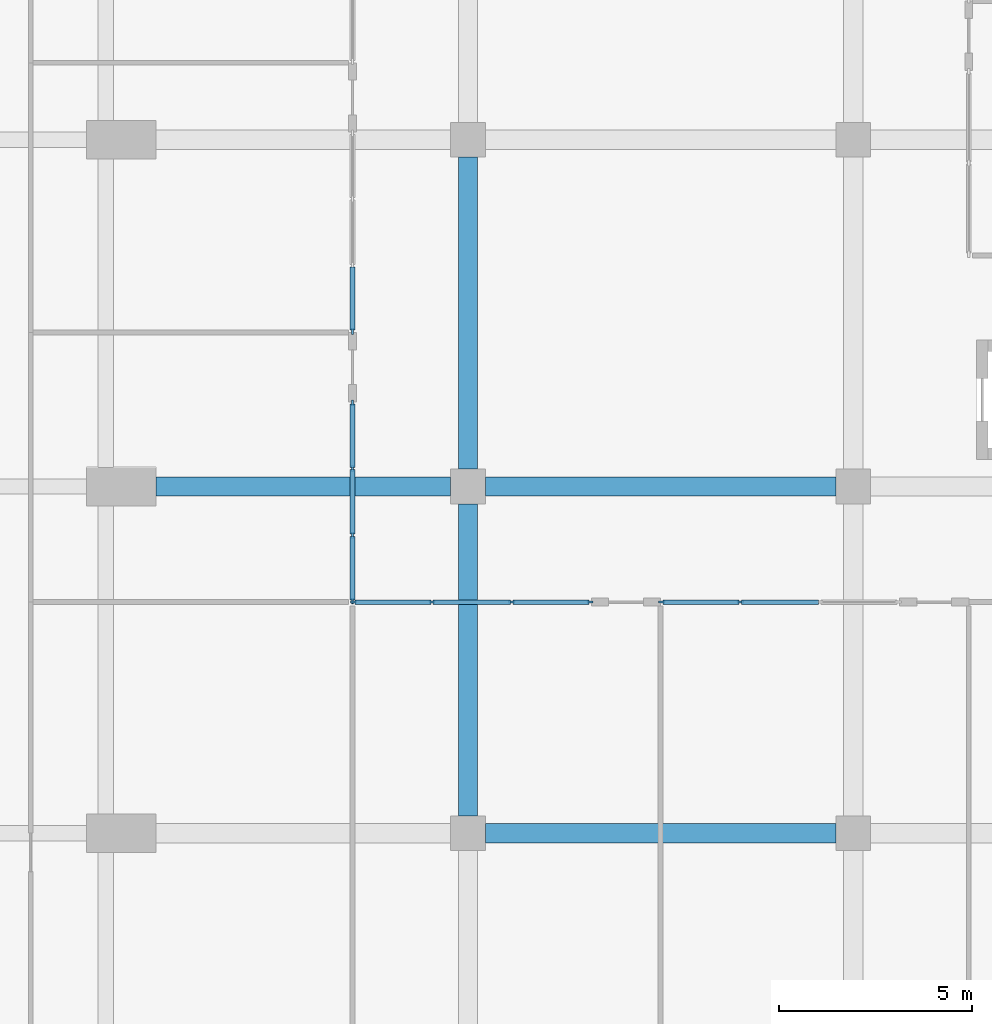
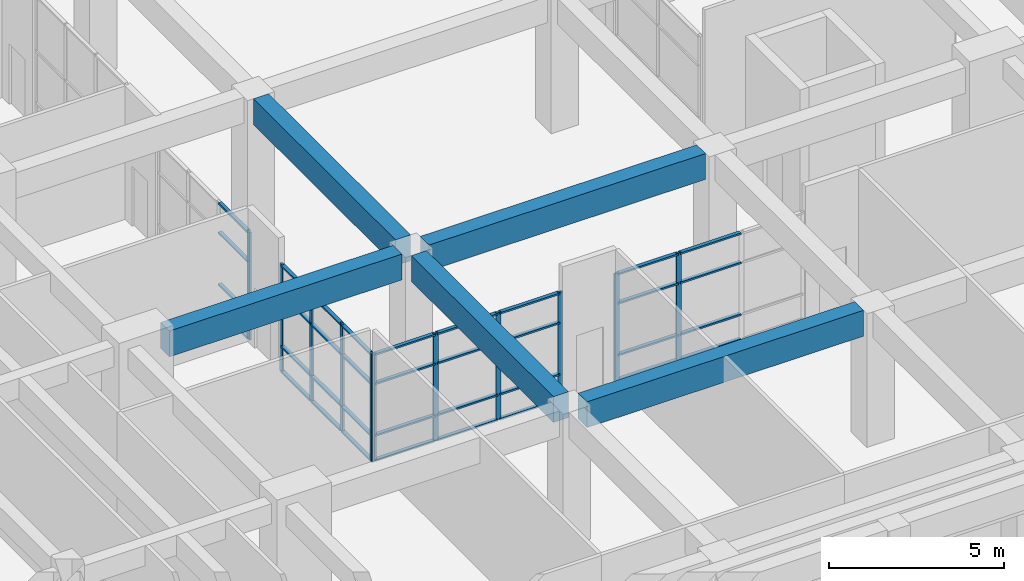
# One storey, part 2 of 29: 47 members, 5 beams, 4 elements without a shape of their own.
"""IFC4 building model written with IfcOpenShell, lengths in metres."""

import ifcopenshell
import ifcopenshell.guid

model = None  # the IFC model being written
_history = None  # IfcOwnerHistory: only IFC2X3 demands one
_inside = {}  # id of a spatial element -> (the spatial element, [elements in it])
_under = {}  # id of a project, library or spatial element -> (it, [spatial elements below it])
_declared = {}  # id of a project -> (the project, [libraries it declares])
_typed = {}  # id of a type object -> (the type object, [elements of that type])
_made_of = {}  # id of a material, layer set ... -> (it, [elements and type objects made of it])


def new_model(schema):
    """Start an empty IFC model of exactly this schema.

    Asked for "IFC4X3", IfcOpenShell would pick the latest addendum, in which some entities
    have other attributes; the version numbers below select the first issue.
    IFC2X3 requires an IfcOwnerHistory on every rooted entity: one is made here for all.
    """
    global model, _history
    if schema == "IFC4X3":
        model = ifcopenshell.file(schema_version=(4, 3, 0, 0))
    else:
        model = ifcopenshell.file(schema=schema)
    _inside.clear()
    _under.clear()
    _declared.clear()
    _typed.clear()
    _made_of.clear()
    _history = None
    if model.schema == "IFC2X3":
        org = make("IfcOrganization", Name="unknown")
        user = make(
            "IfcPersonAndOrganization",
            ThePerson=make("IfcPerson", FamilyName="unknown"),
            TheOrganization=org,
        )
        app = make(
            "IfcApplication",
            ApplicationDeveloper=org,
            Version="unknown",
            ApplicationFullName="unknown",
            ApplicationIdentifier="unknown",
        )
        _history = make(
            "IfcOwnerHistory",
            OwningUser=user,
            OwningApplication=app,
            ChangeAction="ADDED",
            CreationDate=0,
        )
    return model


def make(cls, **values):
    """One entity of the class cls with the attributes given. An attribute that is None is left unset."""
    return model.create_entity(
        cls, **{name: value for name, value in values.items() if value is not None}
    )


def rooted(cls, **values):
    """An entity with a GlobalId (a new one), such as an element, a storey or a relation."""
    return make(cls, GlobalId=ifcopenshell.guid.new(), OwnerHistory=_history, **values)


def si_unit(unit_type, name, prefix=None):
    """IfcSIUnit, for example si_unit("LENGTHUNIT", "METRE", prefix="MILLI")."""
    return make("IfcSIUnit", UnitType=unit_type, Prefix=prefix, Name=name)


def assignment(units):
    """IfcUnitAssignment: the units of a project."""
    return None if units is None else make("IfcUnitAssignment", Units=units)


def point(xyz):
    """IfcCartesianPoint."""
    return None if xyz is None else make("IfcCartesianPoint", Coordinates=xyz)


def direction(xyz):
    """IfcDirection."""
    return None if xyz is None else make("IfcDirection", DirectionRatios=xyz)


def frame(location, z_axis=None, x_axis=None):
    """IfcAxis2Placement3D, a coordinate frame: its origin and axes. An axis left out is left unset."""
    return make(
        "IfcAxis2Placement3D",
        Location=point(location),
        Axis=direction(z_axis),
        RefDirection=direction(x_axis),
    )


def frame_2d(location, x_axis=None):
    """IfcAxis2Placement2D, a coordinate frame in the plane: its origin and x axis."""
    return make(
        "IfcAxis2Placement2D", Location=point(location), RefDirection=direction(x_axis)
    )


def origin():
    """The frame at (0, 0, 0) with its axes left unset."""
    return frame((0.0, 0.0, 0.0))


def origin_2d():
    """The frame at (0, 0) in the plane with its x axis left unset."""
    return frame_2d((0.0, 0.0))


def place(relative_to, where):
    """IfcLocalPlacement: puts the frame where relative to a parent placement (None: the world)."""
    return make(
        "IfcLocalPlacement", PlacementRelTo=relative_to, RelativePlacement=where
    )


def context(
    kind, dimensions, precision=None, world=None, true_north=None, identifier=None
):
    """IfcGeometricRepresentationContext, for example the 3D "Model" context."""
    return make(
        "IfcGeometricRepresentationContext",
        ContextIdentifier=identifier,
        ContextType=kind,
        CoordinateSpaceDimension=dimensions,
        Precision=precision,
        WorldCoordinateSystem=world,
        TrueNorth=true_north,
    )


def subcontext(parent, identifier, kind, view, scale=None):
    """IfcGeometricRepresentationSubContext, for example "Body" below "Model"."""
    return make(
        "IfcGeometricRepresentationSubContext",
        ContextIdentifier=identifier,
        ContextType=kind,
        ParentContext=parent,
        TargetScale=scale,
        TargetView=view,
    )


def project(units=None, contexts=None):
    """IfcProject with its units and contexts."""
    return rooted(
        "IfcProject",
        Name="project",
        RepresentationContexts=contexts,
        UnitsInContext=assignment(units),
    )


def spatial(cls, under=None, at=None, **own):
    """A site, building, storey or space (cls), placed at a placement, below another one or the project."""
    s = rooted(cls, ObjectPlacement=at, **own)
    if under is not None:
        _under.setdefault(under.id(), (under, []))[1].append(s)
    return s


def profile(cls, at=None, kind="AREA", **sizes):
    """A parametric profile (cls). Its sizes go by their IFC names, for example OverallWidth=200.0."""
    return make(cls, ProfileType=kind, Position=at, **sizes)


def rectangle(**sizes):
    """IfcRectangleProfileDef."""
    return profile("IfcRectangleProfileDef", **sizes)


def extrude(swept, where, along, depth):
    """IfcExtrudedAreaSolid: the profile swept, set in the frame where, extruded along a direction by depth."""
    return make(
        "IfcExtrudedAreaSolid",
        SweptArea=swept,
        Position=where,
        ExtrudedDirection=direction(along),
        Depth=depth,
    )


def shape(context_of_items, identifier, shape_type, items):
    """IfcShapeRepresentation: the items that make up one representation, for example the "Body"."""
    return make(
        "IfcShapeRepresentation",
        ContextOfItems=context_of_items,
        RepresentationIdentifier=identifier,
        RepresentationType=shape_type,
        Items=items,
    )


def material(Name=None, Category=None):
    """IfcMaterial."""
    return make("IfcMaterial", Name=Name, Category=Category)


def material_profile(
    of_material, cross_section, Name=None, Category=None, Priority=None
):
    """IfcMaterialProfile: a cross section and its material."""
    return make(
        "IfcMaterialProfile",
        Name=Name,
        Material=of_material,
        Profile=cross_section,
        Priority=Priority,
        Category=Category,
    )


def profile_set(profiles, Name=None, composite=None):
    """IfcMaterialProfileSet."""
    return make(
        "IfcMaterialProfileSet",
        Name=Name,
        MaterialProfiles=profiles,
        CompositeProfile=composite,
    )


def made_of(thing, what):
    """Note that an element or type object is made of a material, layer set ...; save() writes the relation."""
    if what is not None:
        _made_of.setdefault(what.id(), (what, []))[1].append(thing)
    return thing


def type_object(cls, material=None, **own):
    """A type object (cls), such as IfcWallType, which elements share."""
    return made_of(rooted(cls, **own), material)


def element(
    cls,
    number,
    at=None,
    inside=None,
    cuts=None,
    type_object=None,
    material=None,
    context=None,
    identifier="Body",
    shape_type=None,
    held_by="IfcProductDefinitionShape",
    body=None,
    shapes=None,
    **own,
):
    """One element of the class cls, such as IfcWall. Its Tag is "e" and its number.

    at: its placement. inside: the storey or other place that contains it. cuts: it is an
    opening in that element (IfcRelVoidsElement). A single representation is given by context,
    identifier, shape_type and body (its items); several are given by shapes. held_by: the class
    of the entity that holds the representations. save() writes the other relations.
    """
    e = rooted(cls, Tag="e%d" % number, ObjectPlacement=at, **own)
    if body is not None:
        shapes = [shape(context, identifier, shape_type, body)]
    if shapes is not None:
        e.Representation = make(held_by, Representations=shapes)
    if inside is not None:
        _inside.setdefault(inside.id(), (inside, []))[1].append(e)
    if cuts is not None:
        rooted(
            "IfcRelVoidsElement", RelatingBuildingElement=cuts, RelatedOpeningElement=e
        )
    if type_object is not None:
        _typed.setdefault(type_object.id(), (type_object, []))[1].append(e)
    return made_of(e, material)


def aggregate(whole, parts):
    """IfcRelAggregates: a whole, such as a stair, and the parts it consists of."""
    return rooted("IfcRelAggregates", RelatingObject=whole, RelatedObjects=parts)


def save(model, path):
    """Write the relations noted so far, then the file.

    IfcRelAggregates (storeys below a building ...), IfcRelContainedInSpatialStructure (elements
    in a storey), IfcRelDefinesByType, IfcRelAssociatesMaterial and IfcRelDeclares: one each for
    every whole, place, type object, material and project.
    """
    for whole, parts in _under.values():
        aggregate(whole, parts)
    for where, things in _inside.values():
        rooted(
            "IfcRelContainedInSpatialStructure",
            RelatedElements=things,
            RelatingStructure=where,
        )
    for kind, things in _typed.values():
        rooted("IfcRelDefinesByType", RelatedObjects=things, RelatingType=kind)
    for what, things in _made_of.values():
        rooted("IfcRelAssociatesMaterial", RelatedObjects=things, RelatingMaterial=what)
    for by, libraries in _declared.values():
        rooted("IfcRelDeclares", RelatingContext=by, RelatedDefinitions=libraries)
    model.write(path)


model = new_model("IFC4")

# Units and contexts
model_context = context("Model", 3, precision=1e-05, world=origin(), true_north=direction((0.0, 1.0)))
body_context = subcontext(model_context, "Body", "Model", "MODEL_VIEW")
ifc_project = project(units=[si_unit("LENGTHUNIT", "METRE"), si_unit("AREAUNIT", "SQUARE_METRE"), si_unit("VOLUMEUNIT", "CUBIC_METRE"), si_unit("PLANEANGLEUNIT", "RADIAN"), si_unit("MASSUNIT", "GRAM", prefix="KILO")], contexts=[model_context])

# Site, building, storey
site_placement = place(None, origin())
site = spatial("IfcSite", under=ifc_project, at=site_placement, CompositionType="ELEMENT")
building_placement = place(site_placement, origin())
building = spatial("IfcBuilding", under=site, at=building_placement, Name="Elmora Arch Market Hall", CompositionType="ELEMENT")
storey_placement = place(building_placement, frame((0.0, 0.0, -5.0)))
storey = spatial("IfcBuildingStorey", under=building, at=storey_placement, Name="LG", CompositionType="ELEMENT", Elevation=-5.0)

# Beams
ifc_material_1 = material(Name="Concrete C32/40", Category="concrete")
ifc_material_profile_1 = material_profile(ifc_material_1, rectangle(XDim=0.5, YDim=0.89990234375, at=origin_2d()), Name="Basement girder 500x900")
ifc_profile_set_1 = profile_set([ifc_material_profile_1], Name="Concrete C32/40")
beam_type = type_object("IfcBeamType", Name="Basement girder 500x900", PredefinedType="BEAM", material=ifc_profile_set_1)
beam_1_placement = place(storey_placement, frame((24.449951171875, 36.0, 4.199951171875), z_axis=(1.0, 0.0, 0.0), x_axis=(0.0, 1.0, 0.0)))
element("IfcBeam", 1, at=beam_1_placement, inside=storey, type_object=beam_type, Name="Basement girder HR2 LG.2", PredefinedType="BEAM", context=body_context, shape_type="SweptSolid", body=[
    extrude(rectangle(XDim=0.5, YDim=0.89990234375, at=origin_2d()), origin(), (0.0, 0.0, 1.0), 9.10009765625),
])
beam_2_placement = place(storey_placement, frame((15.89990234375, 45.0, 4.199951171875), z_axis=(1.0, 0.0, 0.0), x_axis=(0.0, 1.0, 0.0)))
element("IfcBeam", 2, at=beam_2_placement, inside=storey, type_object=beam_type, Name="Basement girder HR3 LG.1", PredefinedType="BEAM", context=body_context, shape_type="SweptSolid", body=[
    extrude(rectangle(XDim=0.5, YDim=0.89990234375, at=origin_2d()), origin(), (0.0, 0.0, 1.0), 7.650146484375),
])
beam_3_placement = place(storey_placement, frame((24.449951171875, 45.0, 4.199951171875), z_axis=(1.0, 0.0, 0.0), x_axis=(0.0, 1.0, 0.0)))
element("IfcBeam", 3, at=beam_3_placement, inside=storey, type_object=beam_type, Name="Basement girder HR3 LG.2", PredefinedType="BEAM", context=body_context, shape_type="SweptSolid", body=[
    extrude(rectangle(XDim=0.5, YDim=0.89990234375, at=origin_2d()), origin(), (0.0, 0.0, 1.0), 9.10009765625),
])
for number, where, z_axis, x_axis, name in (
    (4, (24.0, 36.449951171875, 4.199951171875), (0.0, 1.0, 0.0), (-1.0, 0.0, 0.0), "Basement girder HC1 LG.2"),
    (5, (24.0, 45.449951171875, 4.199951171875), (0.0, 1.0, 0.0), (-1.0, 0.0, 0.0), "Basement girder HC1 LG.3"),
):
    element("IfcBeam", number, at=place(storey_placement, frame(where, z_axis=z_axis, x_axis=x_axis)), inside=storey, type_object=beam_type, Name=name, PredefinedType="BEAM", context=body_context, shape_type="SweptSolid", body=[
        extrude(rectangle(XDim=0.5, YDim=0.89990234375, at=origin_2d()), origin(), (0.0, 0.0, 1.0), 8.10009765625),
    ])

# Curtain wall, members
ifc_material_2 = material(Name="Aluminium", Category="aluminium")
curtain_wall_type = type_object("IfcCurtainWallType", Name="Lower ground shopfront curtain wall", PredefinedType="NOTDEFINED", material=ifc_material_2)
curtain_wall_1_placement = place(storey_placement, origin())
curtain_wall_1 = element("IfcCurtainWall", 6, at=curtain_wall_1_placement, inside=storey, type_object=curtain_wall_type, Name="Lower ground shopfront W1", PredefinedType="NOTDEFINED")
ifc_material_3 = material(Name="Aluminium", Category="aluminium")
ifc_material_profile_2 = material_profile(ifc_material_3, rectangle(XDim=0.06005859375, YDim=0.159912109375, at=origin_2d()), Name="AL 60x160")
ifc_profile_set_2 = profile_set([ifc_material_profile_2], Name="Aluminium")
member_type_1 = type_object("IfcMemberType", Name="Mullion 60x160", PredefinedType="MULLION", material=ifc_profile_set_2)
member_1_placement = place(storey_placement, frame((21.0, 42.030029296875, 0.0), z_axis=(0.0, 0.0, 1.0), x_axis=(-1.0, 0.0, 0.0)))
member_1 = element("IfcMember", 7, at=member_1_placement, type_object=member_type_1, Name="CW6 mullion 1", PredefinedType="MULLION", context=body_context, shape_type="SweptSolid", body=[
    extrude(rectangle(XDim=0.06005859375, YDim=0.159912109375, at=origin_2d()), origin(), (0.0, 0.0, 1.0), 3.75),
])
member_2_placement = place(storey_placement, frame((21.0, 43.7333984375, 0.0), z_axis=(0.0, 0.0, 1.0), x_axis=(-1.0, 0.0, 0.0)))
member_2 = element("IfcMember", 8, at=member_2_placement, type_object=member_type_1, Name="CW6 mullion 2", PredefinedType="MULLION", context=body_context, shape_type="SweptSolid", body=[
    extrude(rectangle(XDim=0.06005859375, YDim=0.159912109375, at=origin_2d()), origin(), (0.0, 0.0, 1.0), 3.75),
])
member_3_placement = place(storey_placement, frame((21.0, 45.466552734375, 0.0), z_axis=(0.0, 0.0, 1.0), x_axis=(-1.0, 0.0, 0.0)))
member_3 = element("IfcMember", 9, at=member_3_placement, type_object=member_type_1, Name="CW6 mullion 3", PredefinedType="MULLION", context=body_context, shape_type="SweptSolid", body=[
    extrude(rectangle(XDim=0.06005859375, YDim=0.159912109375, at=origin_2d()), origin(), (0.0, 0.0, 1.0), 3.75),
])
member_4_placement = place(storey_placement, frame((21.0, 47.169921875, 0.0), z_axis=(0.0, 0.0, 1.0), x_axis=(-1.0, 0.0, 0.0)))
member_4 = element("IfcMember", 10, at=member_4_placement, type_object=member_type_1, Name="CW6 mullion 4", PredefinedType="MULLION", context=body_context, shape_type="SweptSolid", body=[
    extrude(rectangle(XDim=0.06005859375, YDim=0.159912109375, at=origin_2d()), origin(), (0.0, 0.0, 1.0), 3.75),
])

# Curtain wall, member
curtain_wall_2_placement = place(storey_placement, origin())
curtain_wall_2 = element("IfcCurtainWall", 11, at=curtain_wall_2_placement, inside=storey, type_object=curtain_wall_type, Name="Lower ground shopfront W2", PredefinedType="NOTDEFINED")
member_5_placement = place(storey_placement, frame((21.0, 49.030029296875, 0.0), z_axis=(0.0, 0.0, 1.0), x_axis=(-1.0, 0.0, 0.0)))
member_5 = element("IfcMember", 12, at=member_5_placement, type_object=member_type_1, Name="CW6 mullion 1", PredefinedType="MULLION", context=body_context, shape_type="SweptSolid", body=[
    extrude(rectangle(XDim=0.06005859375, YDim=0.159912109375, at=origin_2d()), origin(), (0.0, 0.0, 1.0), 3.75),
])

# Curtain wall, members
curtain_wall_3_placement = place(storey_placement, origin())
curtain_wall_3 = element("IfcCurtainWall", 13, at=curtain_wall_3_placement, inside=storey, type_object=curtain_wall_type, Name="Lower ground shopfront S1", PredefinedType="NOTDEFINED")
member_6_placement = place(storey_placement, frame((21.030029296875, 42.0, 0.0), z_axis=(0.0, 0.0, 1.0), x_axis=(0.0, 1.0, 0.0)))
member_6 = element("IfcMember", 14, at=member_6_placement, type_object=member_type_1, Name="CW6 mullion 1", PredefinedType="MULLION", context=body_context, shape_type="SweptSolid", body=[
    extrude(rectangle(XDim=0.06005859375, YDim=0.159912109375, at=origin_2d()), origin(), (0.0, 0.0, 1.0), 3.75),
])
member_7_placement = place(storey_placement, frame((23.066650390625, 42.0, 0.0), z_axis=(0.0, 0.0, 1.0), x_axis=(0.0, 1.0, 0.0)))
member_7 = element("IfcMember", 15, at=member_7_placement, type_object=member_type_1, Name="CW6 mullion 2", PredefinedType="MULLION", context=body_context, shape_type="SweptSolid", body=[
    extrude(rectangle(XDim=0.06005859375, YDim=0.159912109375, at=origin_2d()), origin(), (0.0, 0.0, 1.0), 3.75),
])
member_8_placement = place(storey_placement, frame((25.13330078125, 42.0, 0.0), z_axis=(0.0, 0.0, 1.0), x_axis=(0.0, 1.0, 0.0)))
member_8 = element("IfcMember", 16, at=member_8_placement, type_object=member_type_1, Name="CW6 mullion 3", PredefinedType="MULLION", context=body_context, shape_type="SweptSolid", body=[
    extrude(rectangle(XDim=0.06005859375, YDim=0.159912109375, at=origin_2d()), origin(), (0.0, 0.0, 1.0), 3.75),
])
member_9_placement = place(storey_placement, frame((27.169921875, 42.0, 0.0), z_axis=(0.0, 0.0, 1.0), x_axis=(0.0, 1.0, 0.0)))
member_9 = element("IfcMember", 17, at=member_9_placement, type_object=member_type_1, Name="CW6 mullion 4", PredefinedType="MULLION", context=body_context, shape_type="SweptSolid", body=[
    extrude(rectangle(XDim=0.06005859375, YDim=0.159912109375, at=origin_2d()), origin(), (0.0, 0.0, 1.0), 3.75),
])

curtain_wall_4_placement = place(storey_placement, origin())
curtain_wall_4 = element("IfcCurtainWall", 18, at=curtain_wall_4_placement, inside=storey, type_object=curtain_wall_type, Name="Lower ground shopfront S2", PredefinedType="NOTDEFINED")
member_10_placement = place(storey_placement, frame((29.030029296875, 42.0, 0.0), z_axis=(0.0, 0.0, 1.0), x_axis=(0.0, 1.0, 0.0)))
member_10 = element("IfcMember", 19, at=member_10_placement, type_object=member_type_1, Name="CW6 mullion 1", PredefinedType="MULLION", context=body_context, shape_type="SweptSolid", body=[
    extrude(rectangle(XDim=0.06005859375, YDim=0.159912109375, at=origin_2d()), origin(), (0.0, 0.0, 1.0), 3.75),
])
member_11_placement = place(storey_placement, frame((31.066650390625, 42.0, 0.0), z_axis=(0.0, 0.0, 1.0), x_axis=(0.0, 1.0, 0.0)))
member_11 = element("IfcMember", 20, at=member_11_placement, type_object=member_type_1, Name="CW6 mullion 2", PredefinedType="MULLION", context=body_context, shape_type="SweptSolid", body=[
    extrude(rectangle(XDim=0.06005859375, YDim=0.159912109375, at=origin_2d()), origin(), (0.0, 0.0, 1.0), 3.75),
])

# Member
ifc_material_4 = material(Name="Aluminium", Category="aluminium")
ifc_material_profile_3 = material_profile(ifc_material_4, rectangle(XDim=0.1201171875, YDim=0.06005859375, at=origin_2d()), Name="AL 120x60")
ifc_profile_set_3 = profile_set([ifc_material_profile_3], Name="Aluminium")
member_type_2 = type_object("IfcMemberType", Name="Transom 120x60", PredefinedType="USERDEFINED", material=ifc_profile_set_3)
member_12_placement = place(storey_placement, frame((21.0, 42.06005859375, 0.030029296875), z_axis=(0.0, 1.0, 0.0), x_axis=(-1.0, 0.0, 0.0)))
member_12 = element("IfcMember", 21, at=member_12_placement, type_object=member_type_2, Name="CW6 transom 1.1", ObjectType="TRANSOM", PredefinedType="USERDEFINED", context=body_context, shape_type="SweptSolid", body=[
    extrude(rectangle(XDim=0.1201171875, YDim=0.06005859375, at=origin_2d()), origin(), (0.0, 0.0, 1.0), 1.643310546875),
])

member_13_placement = place(storey_placement, frame((21.0, 42.06005859375, 0.89990234375), z_axis=(0.0, 1.0, 0.0), x_axis=(-1.0, 0.0, 0.0)))
member_13 = element("IfcMember", 22, at=member_13_placement, type_object=member_type_2, Name="CW6 transom 1.2", ObjectType="TRANSOM", PredefinedType="USERDEFINED", context=body_context, shape_type="SweptSolid", body=[
    extrude(rectangle(XDim=0.1201171875, YDim=0.06005859375, at=origin_2d()), origin(), (0.0, 0.0, 1.0), 1.643310546875),
])

member_14_placement = place(storey_placement, frame((21.0, 42.06005859375, 2.699951171875), z_axis=(0.0, 1.0, 0.0), x_axis=(-1.0, 0.0, 0.0)))
member_14 = element("IfcMember", 23, at=member_14_placement, type_object=member_type_2, Name="CW6 transom 1.3", ObjectType="TRANSOM", PredefinedType="USERDEFINED", context=body_context, shape_type="SweptSolid", body=[
    extrude(rectangle(XDim=0.1201171875, YDim=0.06005859375, at=origin_2d()), origin(), (0.0, 0.0, 1.0), 1.643310546875),
])

member_15_placement = place(storey_placement, frame((21.0, 42.06005859375, 3.719970703125), z_axis=(0.0, 1.0, 0.0), x_axis=(-1.0, 0.0, 0.0)))
member_15 = element("IfcMember", 24, at=member_15_placement, type_object=member_type_2, Name="CW6 transom 1.4", ObjectType="TRANSOM", PredefinedType="USERDEFINED", context=body_context, shape_type="SweptSolid", body=[
    extrude(rectangle(XDim=0.1201171875, YDim=0.06005859375, at=origin_2d()), origin(), (0.0, 0.0, 1.0), 1.643310546875),
])

member_16_placement = place(storey_placement, frame((21.0, 43.763427734375, 0.030029296875), z_axis=(0.0, 1.0, 0.0), x_axis=(-1.0, 0.0, 0.0)))
member_16 = element("IfcMember", 25, at=member_16_placement, type_object=member_type_2, Name="CW6 transom 2.1", ObjectType="TRANSOM", PredefinedType="USERDEFINED", context=body_context, shape_type="SweptSolid", body=[
    extrude(rectangle(XDim=0.1201171875, YDim=0.06005859375, at=origin_2d()), origin(), (0.0, 0.0, 1.0), 1.67333984375),
])

member_17_placement = place(storey_placement, frame((21.0, 43.763427734375, 0.89990234375), z_axis=(0.0, 1.0, 0.0), x_axis=(-1.0, 0.0, 0.0)))
member_17 = element("IfcMember", 26, at=member_17_placement, type_object=member_type_2, Name="CW6 transom 2.2", ObjectType="TRANSOM", PredefinedType="USERDEFINED", context=body_context, shape_type="SweptSolid", body=[
    extrude(rectangle(XDim=0.1201171875, YDim=0.06005859375, at=origin_2d()), origin(), (0.0, 0.0, 1.0), 1.67333984375),
])

member_18_placement = place(storey_placement, frame((21.0, 43.763427734375, 2.699951171875), z_axis=(0.0, 1.0, 0.0), x_axis=(-1.0, 0.0, 0.0)))
member_18 = element("IfcMember", 27, at=member_18_placement, type_object=member_type_2, Name="CW6 transom 2.3", ObjectType="TRANSOM", PredefinedType="USERDEFINED", context=body_context, shape_type="SweptSolid", body=[
    extrude(rectangle(XDim=0.1201171875, YDim=0.06005859375, at=origin_2d()), origin(), (0.0, 0.0, 1.0), 1.67333984375),
])

member_19_placement = place(storey_placement, frame((21.0, 43.763427734375, 3.719970703125), z_axis=(0.0, 1.0, 0.0), x_axis=(-1.0, 0.0, 0.0)))
member_19 = element("IfcMember", 28, at=member_19_placement, type_object=member_type_2, Name="CW6 transom 2.4", ObjectType="TRANSOM", PredefinedType="USERDEFINED", context=body_context, shape_type="SweptSolid", body=[
    extrude(rectangle(XDim=0.1201171875, YDim=0.06005859375, at=origin_2d()), origin(), (0.0, 0.0, 1.0), 1.67333984375),
])

member_20_placement = place(storey_placement, frame((21.0, 45.49658203125, 0.030029296875), z_axis=(0.0, 1.0, 0.0), x_axis=(-1.0, 0.0, 0.0)))
member_20 = element("IfcMember", 29, at=member_20_placement, type_object=member_type_2, Name="CW6 transom 3.1", ObjectType="TRANSOM", PredefinedType="USERDEFINED", context=body_context, shape_type="SweptSolid", body=[
    extrude(rectangle(XDim=0.1201171875, YDim=0.06005859375, at=origin_2d()), origin(), (0.0, 0.0, 1.0), 1.643310546875),
])

member_21_placement = place(storey_placement, frame((21.0, 45.49658203125, 0.89990234375), z_axis=(0.0, 1.0, 0.0), x_axis=(-1.0, 0.0, 0.0)))
member_21 = element("IfcMember", 30, at=member_21_placement, type_object=member_type_2, Name="CW6 transom 3.2", ObjectType="TRANSOM", PredefinedType="USERDEFINED", context=body_context, shape_type="SweptSolid", body=[
    extrude(rectangle(XDim=0.1201171875, YDim=0.06005859375, at=origin_2d()), origin(), (0.0, 0.0, 1.0), 1.643310546875),
])

member_22_placement = place(storey_placement, frame((21.0, 45.49658203125, 2.699951171875), z_axis=(0.0, 1.0, 0.0), x_axis=(-1.0, 0.0, 0.0)))
member_22 = element("IfcMember", 31, at=member_22_placement, type_object=member_type_2, Name="CW6 transom 3.3", ObjectType="TRANSOM", PredefinedType="USERDEFINED", context=body_context, shape_type="SweptSolid", body=[
    extrude(rectangle(XDim=0.1201171875, YDim=0.06005859375, at=origin_2d()), origin(), (0.0, 0.0, 1.0), 1.643310546875),
])

member_23_placement = place(storey_placement, frame((21.0, 45.49658203125, 3.719970703125), z_axis=(0.0, 1.0, 0.0), x_axis=(-1.0, 0.0, 0.0)))
member_23 = element("IfcMember", 32, at=member_23_placement, type_object=member_type_2, Name="CW6 transom 3.4", ObjectType="TRANSOM", PredefinedType="USERDEFINED", context=body_context, shape_type="SweptSolid", body=[
    extrude(rectangle(XDim=0.1201171875, YDim=0.06005859375, at=origin_2d()), origin(), (0.0, 0.0, 1.0), 1.643310546875),
])

aggregate(curtain_wall_1, [member_1, member_2, member_3, member_4, member_12, member_13, member_14, member_15, member_16, member_17, member_18, member_19, member_20, member_21, member_22, member_23])

member_24_placement = place(storey_placement, frame((21.0, 49.06005859375, 0.030029296875), z_axis=(0.0, 1.0, 0.0), x_axis=(-1.0, 0.0, 0.0)))
member_24 = element("IfcMember", 33, at=member_24_placement, type_object=member_type_2, Name="CW6 transom 1.1", ObjectType="TRANSOM", PredefinedType="USERDEFINED", context=body_context, shape_type="SweptSolid", body=[
    extrude(rectangle(XDim=0.1201171875, YDim=0.06005859375, at=origin_2d()), origin(), (0.0, 0.0, 1.0), 1.643310546875),
])

member_25_placement = place(storey_placement, frame((21.0, 49.06005859375, 0.89990234375), z_axis=(0.0, 1.0, 0.0), x_axis=(-1.0, 0.0, 0.0)))
member_25 = element("IfcMember", 34, at=member_25_placement, type_object=member_type_2, Name="CW6 transom 1.2", ObjectType="TRANSOM", PredefinedType="USERDEFINED", context=body_context, shape_type="SweptSolid", body=[
    extrude(rectangle(XDim=0.1201171875, YDim=0.06005859375, at=origin_2d()), origin(), (0.0, 0.0, 1.0), 1.643310546875),
])

member_26_placement = place(storey_placement, frame((21.0, 49.06005859375, 2.699951171875), z_axis=(0.0, 1.0, 0.0), x_axis=(-1.0, 0.0, 0.0)))
member_26 = element("IfcMember", 35, at=member_26_placement, type_object=member_type_2, Name="CW6 transom 1.3", ObjectType="TRANSOM", PredefinedType="USERDEFINED", context=body_context, shape_type="SweptSolid", body=[
    extrude(rectangle(XDim=0.1201171875, YDim=0.06005859375, at=origin_2d()), origin(), (0.0, 0.0, 1.0), 1.643310546875),
])

member_27_placement = place(storey_placement, frame((21.0, 49.06005859375, 3.719970703125), z_axis=(0.0, 1.0, 0.0), x_axis=(-1.0, 0.0, 0.0)))
member_27 = element("IfcMember", 36, at=member_27_placement, type_object=member_type_2, Name="CW6 transom 1.4", ObjectType="TRANSOM", PredefinedType="USERDEFINED", context=body_context, shape_type="SweptSolid", body=[
    extrude(rectangle(XDim=0.1201171875, YDim=0.06005859375, at=origin_2d()), origin(), (0.0, 0.0, 1.0), 1.643310546875),
])

aggregate(curtain_wall_2, [member_5, member_24, member_25, member_26, member_27])

member_28_placement = place(storey_placement, frame((21.06005859375, 42.0, 0.030029296875), z_axis=(1.0, 0.0, 0.0), x_axis=(0.0, 1.0, 0.0)))
member_28 = element("IfcMember", 37, at=member_28_placement, type_object=member_type_2, Name="CW6 transom 1.1", ObjectType="TRANSOM", PredefinedType="USERDEFINED", context=body_context, shape_type="SweptSolid", body=[
    extrude(rectangle(XDim=0.1201171875, YDim=0.06005859375, at=origin_2d()), origin(), (0.0, 0.0, 1.0), 1.9765625),
])

member_29_placement = place(storey_placement, frame((21.06005859375, 42.0, 0.89990234375), z_axis=(1.0, 0.0, 0.0), x_axis=(0.0, 1.0, 0.0)))
member_29 = element("IfcMember", 38, at=member_29_placement, type_object=member_type_2, Name="CW6 transom 1.2", ObjectType="TRANSOM", PredefinedType="USERDEFINED", context=body_context, shape_type="SweptSolid", body=[
    extrude(rectangle(XDim=0.1201171875, YDim=0.06005859375, at=origin_2d()), origin(), (0.0, 0.0, 1.0), 1.9765625),
])

member_30_placement = place(storey_placement, frame((21.06005859375, 42.0, 2.699951171875), z_axis=(1.0, 0.0, 0.0), x_axis=(0.0, 1.0, 0.0)))
member_30 = element("IfcMember", 39, at=member_30_placement, type_object=member_type_2, Name="CW6 transom 1.3", ObjectType="TRANSOM", PredefinedType="USERDEFINED", context=body_context, shape_type="SweptSolid", body=[
    extrude(rectangle(XDim=0.1201171875, YDim=0.06005859375, at=origin_2d()), origin(), (0.0, 0.0, 1.0), 1.9765625),
])

member_31_placement = place(storey_placement, frame((21.06005859375, 42.0, 3.719970703125), z_axis=(1.0, 0.0, 0.0), x_axis=(0.0, 1.0, 0.0)))
member_31 = element("IfcMember", 40, at=member_31_placement, type_object=member_type_2, Name="CW6 transom 1.4", ObjectType="TRANSOM", PredefinedType="USERDEFINED", context=body_context, shape_type="SweptSolid", body=[
    extrude(rectangle(XDim=0.1201171875, YDim=0.06005859375, at=origin_2d()), origin(), (0.0, 0.0, 1.0), 1.9765625),
])

member_32_placement = place(storey_placement, frame((23.0966796875, 42.0, 0.030029296875), z_axis=(1.0, 0.0, 0.0), x_axis=(0.0, 1.0, 0.0)))
member_32 = element("IfcMember", 41, at=member_32_placement, type_object=member_type_2, Name="CW6 transom 2.1", ObjectType="TRANSOM", PredefinedType="USERDEFINED", context=body_context, shape_type="SweptSolid", body=[
    extrude(rectangle(XDim=0.1201171875, YDim=0.06005859375, at=origin_2d()), origin(), (0.0, 0.0, 1.0), 2.006591796875),
])

member_33_placement = place(storey_placement, frame((23.0966796875, 42.0, 0.89990234375), z_axis=(1.0, 0.0, 0.0), x_axis=(0.0, 1.0, 0.0)))
member_33 = element("IfcMember", 42, at=member_33_placement, type_object=member_type_2, Name="CW6 transom 2.2", ObjectType="TRANSOM", PredefinedType="USERDEFINED", context=body_context, shape_type="SweptSolid", body=[
    extrude(rectangle(XDim=0.1201171875, YDim=0.06005859375, at=origin_2d()), origin(), (0.0, 0.0, 1.0), 2.006591796875),
])

member_34_placement = place(storey_placement, frame((23.0966796875, 42.0, 2.699951171875), z_axis=(1.0, 0.0, 0.0), x_axis=(0.0, 1.0, 0.0)))
member_34 = element("IfcMember", 43, at=member_34_placement, type_object=member_type_2, Name="CW6 transom 2.3", ObjectType="TRANSOM", PredefinedType="USERDEFINED", context=body_context, shape_type="SweptSolid", body=[
    extrude(rectangle(XDim=0.1201171875, YDim=0.06005859375, at=origin_2d()), origin(), (0.0, 0.0, 1.0), 2.006591796875),
])

member_35_placement = place(storey_placement, frame((23.0966796875, 42.0, 3.719970703125), z_axis=(1.0, 0.0, 0.0), x_axis=(0.0, 1.0, 0.0)))
member_35 = element("IfcMember", 44, at=member_35_placement, type_object=member_type_2, Name="CW6 transom 2.4", ObjectType="TRANSOM", PredefinedType="USERDEFINED", context=body_context, shape_type="SweptSolid", body=[
    extrude(rectangle(XDim=0.1201171875, YDim=0.06005859375, at=origin_2d()), origin(), (0.0, 0.0, 1.0), 2.006591796875),
])

member_36_placement = place(storey_placement, frame((25.163330078125, 42.0, 0.030029296875), z_axis=(1.0, 0.0, 0.0), x_axis=(0.0, 1.0, 0.0)))
member_36 = element("IfcMember", 45, at=member_36_placement, type_object=member_type_2, Name="CW6 transom 3.1", ObjectType="TRANSOM", PredefinedType="USERDEFINED", context=body_context, shape_type="SweptSolid", body=[
    extrude(rectangle(XDim=0.1201171875, YDim=0.06005859375, at=origin_2d()), origin(), (0.0, 0.0, 1.0), 1.9765625),
])

member_37_placement = place(storey_placement, frame((25.163330078125, 42.0, 0.89990234375), z_axis=(1.0, 0.0, 0.0), x_axis=(0.0, 1.0, 0.0)))
member_37 = element("IfcMember", 46, at=member_37_placement, type_object=member_type_2, Name="CW6 transom 3.2", ObjectType="TRANSOM", PredefinedType="USERDEFINED", context=body_context, shape_type="SweptSolid", body=[
    extrude(rectangle(XDim=0.1201171875, YDim=0.06005859375, at=origin_2d()), origin(), (0.0, 0.0, 1.0), 1.9765625),
])

member_38_placement = place(storey_placement, frame((25.163330078125, 42.0, 2.699951171875), z_axis=(1.0, 0.0, 0.0), x_axis=(0.0, 1.0, 0.0)))
member_38 = element("IfcMember", 47, at=member_38_placement, type_object=member_type_2, Name="CW6 transom 3.3", ObjectType="TRANSOM", PredefinedType="USERDEFINED", context=body_context, shape_type="SweptSolid", body=[
    extrude(rectangle(XDim=0.1201171875, YDim=0.06005859375, at=origin_2d()), origin(), (0.0, 0.0, 1.0), 1.9765625),
])

member_39_placement = place(storey_placement, frame((25.163330078125, 42.0, 3.719970703125), z_axis=(1.0, 0.0, 0.0), x_axis=(0.0, 1.0, 0.0)))
member_39 = element("IfcMember", 48, at=member_39_placement, type_object=member_type_2, Name="CW6 transom 3.4", ObjectType="TRANSOM", PredefinedType="USERDEFINED", context=body_context, shape_type="SweptSolid", body=[
    extrude(rectangle(XDim=0.1201171875, YDim=0.06005859375, at=origin_2d()), origin(), (0.0, 0.0, 1.0), 1.9765625),
])

aggregate(curtain_wall_3, [member_6, member_7, member_8, member_9, member_28, member_29, member_30, member_31, member_32, member_33, member_34, member_35, member_36, member_37, member_38, member_39])

member_40_placement = place(storey_placement, frame((29.06005859375, 42.0, 0.030029296875), z_axis=(1.0, 0.0, 0.0), x_axis=(0.0, 1.0, 0.0)))
member_40 = element("IfcMember", 49, at=member_40_placement, type_object=member_type_2, Name="CW6 transom 1.1", ObjectType="TRANSOM", PredefinedType="USERDEFINED", context=body_context, shape_type="SweptSolid", body=[
    extrude(rectangle(XDim=0.1201171875, YDim=0.06005859375, at=origin_2d()), origin(), (0.0, 0.0, 1.0), 1.9765625),
])

member_41_placement = place(storey_placement, frame((29.06005859375, 42.0, 0.89990234375), z_axis=(1.0, 0.0, 0.0), x_axis=(0.0, 1.0, 0.0)))
member_41 = element("IfcMember", 50, at=member_41_placement, type_object=member_type_2, Name="CW6 transom 1.2", ObjectType="TRANSOM", PredefinedType="USERDEFINED", context=body_context, shape_type="SweptSolid", body=[
    extrude(rectangle(XDim=0.1201171875, YDim=0.06005859375, at=origin_2d()), origin(), (0.0, 0.0, 1.0), 1.9765625),
])

member_42_placement = place(storey_placement, frame((29.06005859375, 42.0, 2.699951171875), z_axis=(1.0, 0.0, 0.0), x_axis=(0.0, 1.0, 0.0)))
member_42 = element("IfcMember", 51, at=member_42_placement, type_object=member_type_2, Name="CW6 transom 1.3", ObjectType="TRANSOM", PredefinedType="USERDEFINED", context=body_context, shape_type="SweptSolid", body=[
    extrude(rectangle(XDim=0.1201171875, YDim=0.06005859375, at=origin_2d()), origin(), (0.0, 0.0, 1.0), 1.9765625),
])

member_43_placement = place(storey_placement, frame((29.06005859375, 42.0, 3.719970703125), z_axis=(1.0, 0.0, 0.0), x_axis=(0.0, 1.0, 0.0)))
member_43 = element("IfcMember", 52, at=member_43_placement, type_object=member_type_2, Name="CW6 transom 1.4", ObjectType="TRANSOM", PredefinedType="USERDEFINED", context=body_context, shape_type="SweptSolid", body=[
    extrude(rectangle(XDim=0.1201171875, YDim=0.06005859375, at=origin_2d()), origin(), (0.0, 0.0, 1.0), 1.9765625),
])

member_44_placement = place(storey_placement, frame((31.0966796875, 42.0, 0.030029296875), z_axis=(1.0, 0.0, 0.0), x_axis=(0.0, 1.0, 0.0)))
member_44 = element("IfcMember", 53, at=member_44_placement, type_object=member_type_2, Name="CW6 transom 2.1", ObjectType="TRANSOM", PredefinedType="USERDEFINED", context=body_context, shape_type="SweptSolid", body=[
    extrude(rectangle(XDim=0.1201171875, YDim=0.06005859375, at=origin_2d()), origin(), (0.0, 0.0, 1.0), 2.006591796875),
])

member_45_placement = place(storey_placement, frame((31.0966796875, 42.0, 0.89990234375), z_axis=(1.0, 0.0, 0.0), x_axis=(0.0, 1.0, 0.0)))
member_45 = element("IfcMember", 54, at=member_45_placement, type_object=member_type_2, Name="CW6 transom 2.2", ObjectType="TRANSOM", PredefinedType="USERDEFINED", context=body_context, shape_type="SweptSolid", body=[
    extrude(rectangle(XDim=0.1201171875, YDim=0.06005859375, at=origin_2d()), origin(), (0.0, 0.0, 1.0), 2.006591796875),
])

member_46_placement = place(storey_placement, frame((31.0966796875, 42.0, 2.699951171875), z_axis=(1.0, 0.0, 0.0), x_axis=(0.0, 1.0, 0.0)))
member_46 = element("IfcMember", 55, at=member_46_placement, type_object=member_type_2, Name="CW6 transom 2.3", ObjectType="TRANSOM", PredefinedType="USERDEFINED", context=body_context, shape_type="SweptSolid", body=[
    extrude(rectangle(XDim=0.1201171875, YDim=0.06005859375, at=origin_2d()), origin(), (0.0, 0.0, 1.0), 2.006591796875),
])

member_47_placement = place(storey_placement, frame((31.0966796875, 42.0, 3.719970703125), z_axis=(1.0, 0.0, 0.0), x_axis=(0.0, 1.0, 0.0)))
member_47 = element("IfcMember", 56, at=member_47_placement, type_object=member_type_2, Name="CW6 transom 2.4", ObjectType="TRANSOM", PredefinedType="USERDEFINED", context=body_context, shape_type="SweptSolid", body=[
    extrude(rectangle(XDim=0.1201171875, YDim=0.06005859375, at=origin_2d()), origin(), (0.0, 0.0, 1.0), 2.006591796875),
])

aggregate(curtain_wall_4, [member_10, member_11, member_40, member_41, member_42, member_43, member_44, member_45, member_46, member_47])

save(model, "model.ifc")
